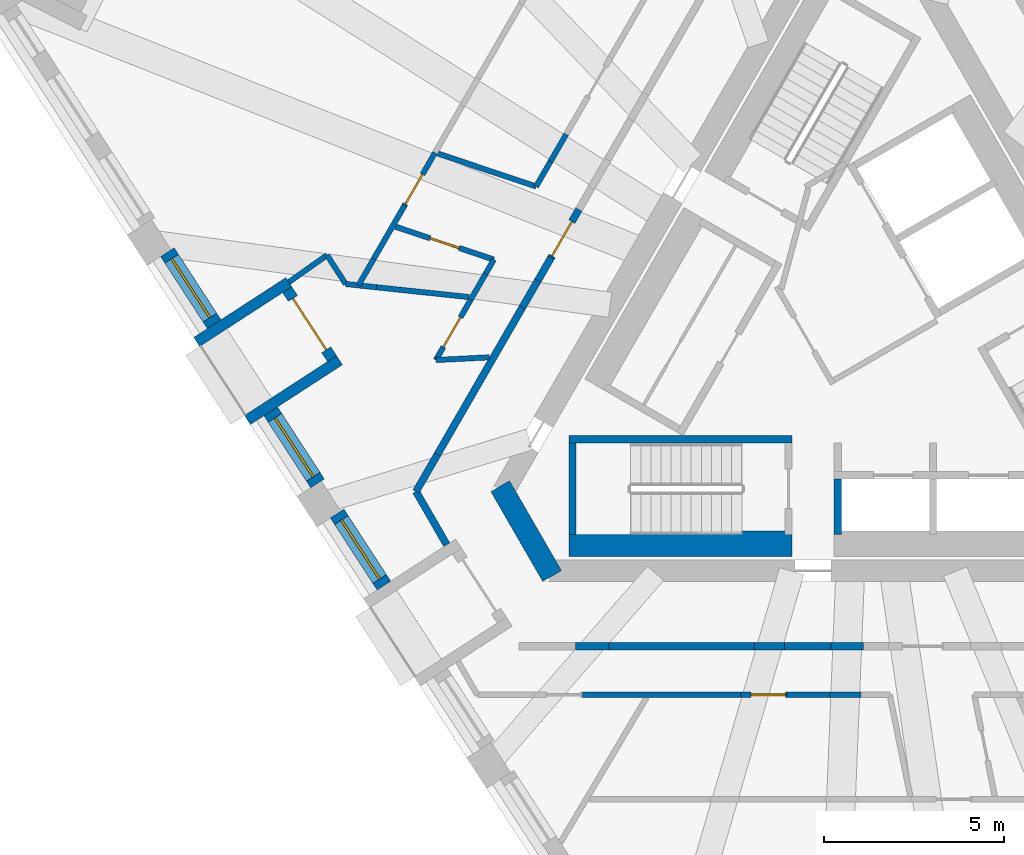
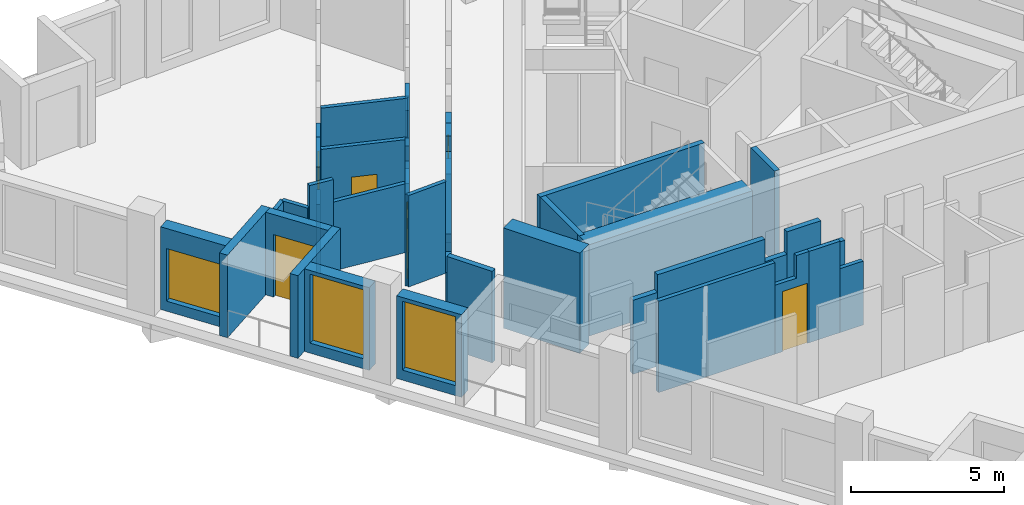
# One storey, part 3 of 12: 41 walls, 6 doors, 3 windows, 9 openings.
"""IFC4 building model written with IfcOpenShell, lengths in metres."""

from ifc_helpers import new_model, si_unit, direction, frame, frame_2d, origin, place, context, subcontext, project, spatial, polyline, rectangle, outline, extrude, material, layer, layer_set, type_object, element, fill, save


model = new_model("IFC4")

# Units and contexts
model_context = context("Model", 3, precision=1e-05, world=origin(), true_north=direction((0.0, 1.0)))
body_context = subcontext(model_context, "Body", "Model", "MODEL_VIEW")
ifc_project = project(units=[si_unit("LENGTHUNIT", "METRE"), si_unit("AREAUNIT", "SQUARE_METRE"), si_unit("VOLUMEUNIT", "CUBIC_METRE"), si_unit("PLANEANGLEUNIT", "RADIAN"), si_unit("MASSUNIT", "GRAM", prefix="KILO")], contexts=[model_context])

# Site, building, storey
site_placement = place(None, origin())
site = spatial("IfcSite", under=ifc_project, at=site_placement, CompositionType="ELEMENT")
building_placement = place(site_placement, origin())
building = spatial("IfcBuilding", under=site, at=building_placement, Name="Tramontana Tower", CompositionType="ELEMENT")
storey_placement = place(building_placement, frame((0.0, 0.0, 302.39990234375)))
storey = spatial("IfcBuildingStorey", under=building, at=storey_placement, Name="L71", CompositionType="ELEMENT", Elevation=302.39990234375)

# Walls
ifc_material_1 = material(Name="Concrete 70 MPa", Category="concrete")
ifc_layer_1 = layer(ifc_material_1, 0.60009765625)
ifc_layer_set_1 = layer_set([ifc_layer_1], Name="Core wall 600 70 MPa")
wall_type_1 = type_object("IfcWallType", Name="Core wall 600 70 MPa", PredefinedType="SHEAR", material=ifc_layer_set_1)
wall_1_placement = place(storey_placement, frame((-9.98828125, -4.10009765625, 0.0), z_axis=(0.0, 0.0, 1.0), x_axis=(0.499995765644, -0.866027848477, 0.0)))
element("IfcWall", 1, at=wall_1_placement, inside=storey, type_object=wall_type_1, Name="Core wall C2 L71", PredefinedType="SHEAR", context=body_context, shape_type="SweptSolid", body=[
    extrude(rectangle(XDim=2.88671875, YDim=0.60009765625, at=frame_2d((1.443359375, 0.0))), origin(), (0.0, 0.0, 1.0), 4.0),
])
ifc_material_2 = material(Name="Blockwork", Category="masonry")
ifc_layer_2 = layer(ifc_material_2, 0.199951171875)
ifc_layer_set_2 = layer_set([ifc_layer_2], Name="ENTRY WALL 200")
wall_type_2 = type_object("IfcWallType", Name="ENTRY WALL 200", PredefinedType="SOLIDWALL", material=ifc_layer_set_2)
wall_2_placement = place(storey_placement, frame((0.104248046875, -8.550048828125, 0.0), z_axis=(0.0, 0.0, 1.0), x_axis=(-1.0, 0.0, 0.0)))
element("IfcWall", 2, at=wall_2_placement, inside=storey, type_object=wall_type_2, Name="Wall v72-ew1-6", PredefinedType="SOLIDWALL", context=body_context, shape_type="SweptSolid", body=[
    extrude(rectangle(XDim=0.900634765625, YDim=0.199951171875, at=frame_2d((0.4501953125, 0.0))), origin(), (0.0, 0.0, 1.0), 2.550048828125),
])
wall_3_placement = place(storey_placement, frame((-0.79638671875, -8.550048828125, 0.0), z_axis=(0.0, 0.0, 1.0), x_axis=(-1.0, 0.0, 0.0)))
element("IfcWall", 3, at=wall_3_placement, inside=storey, type_object=wall_type_2, Name="Wall v72-ew1-7", PredefinedType="SOLIDWALL", context=body_context, shape_type="SweptSolid", body=[
    extrude(rectangle(XDim=1.2861328125, YDim=0.199951171875, at=frame_2d((0.64306640625, 0.0))), origin(), (0.0, 0.0, 1.0), 3.650146484375),
])
wall_4_placement = place(storey_placement, frame((-2.08251953125, -8.550048828125, 0.0), z_axis=(0.0, 0.0, 1.0), x_axis=(-1.0, 0.0, 0.0)))
element("IfcWall", 4, at=wall_4_placement, inside=storey, type_object=wall_type_2, Name="Wall v72-ew1-8", PredefinedType="SOLIDWALL", context=body_context, shape_type="SweptSolid", body=[
    extrude(rectangle(XDim=0.83349609375, YDim=0.199951171875, at=frame_2d((0.416748046875, 0.0))), origin(), (0.0, 0.0, 1.0), 2.75),
])
wall_5_placement = place(storey_placement, frame((-2.916015625, -8.550048828125, 0.0), z_axis=(0.0, 0.0, 1.0), x_axis=(-1.0, 0.0, 0.0)))
element("IfcWall", 5, at=wall_5_placement, inside=storey, type_object=wall_type_2, Name="Wall v72-ew1-9", PredefinedType="SOLIDWALL", context=body_context, shape_type="SweptSolid", body=[
    extrude(rectangle(XDim=4.052490234375, YDim=0.199951171875, at=frame_2d((2.0263671875, 0.0))), origin(), (0.0, 0.0, 1.0), 3.650146484375),
])
wall_6_placement = place(storey_placement, frame((-6.968505859375, -8.550048828125, 0.0), z_axis=(0.0, 0.0, 1.0), x_axis=(-1.0, 0.0, 0.0)))
element("IfcWall", 6, at=wall_6_placement, inside=storey, type_object=wall_type_2, Name="Wall v72-ew1-10", PredefinedType="SOLIDWALL", context=body_context, shape_type="SweptSolid", body=[
    extrude(rectangle(XDim=0.927490234375, YDim=0.199951171875, at=frame_2d((0.4638671875, 0.0))), origin(), (0.0, 0.0, 1.0), 2.9501953125),
])
wall_7_placement = place(storey_placement, frame((-11.472412109375, -5.729248046875, 0.0), z_axis=(0.0, 0.0, 1.0), x_axis=(-0.499982281718, 0.866035633198, 0.0)))
element("IfcWall", 7, at=wall_7_placement, inside=storey, type_object=wall_type_2, Name="Wall v72-ew2", PredefinedType="SOLIDWALL", context=body_context, shape_type="SweptSolid", body=[
    extrude(rectangle(XDim=1.7080078125, YDim=0.199951171875, at=frame_2d((0.85400390625, 0.0))), origin(), (0.0, 0.0, 1.0), 3.650146484375),
])
wall_8_placement = place(storey_placement, frame((-12.326416015625, -4.25, 0.0), z_axis=(0.0, 0.0, 1.0), x_axis=(0.499983247966, 0.86603507536, 0.0)))
element("IfcWall", 8, at=wall_8_placement, inside=storey, type_object=wall_type_2, Name="Wall v72-ew3-0", PredefinedType="SOLIDWALL", context=body_context, shape_type="SweptSolid", body=[
    extrude(rectangle(XDim=1.1884765625, YDim=0.199951171875, at=frame_2d((0.59423828125, 0.0))), origin(), (0.0, 0.0, 1.0), 2.9501953125),
])
wall_9_placement = place(storey_placement, frame((-11.732177734375, -3.220703125, 0.0), z_axis=(0.0, 0.0, 1.0), x_axis=(0.500007683529, 0.866020967652, 0.0)))
element("IfcWall", 9, at=wall_9_placement, inside=storey, type_object=wall_type_2, Name="Wall v72-ew3-1", PredefinedType="SOLIDWALL", context=body_context, shape_type="SweptSolid", body=[
    extrude(rectangle(XDim=4.71728515625, YDim=0.199951171875, at=frame_2d((2.358642578125, 0.0))), origin(), (0.0, 0.0, 1.0), 3.650146484375),
])
wall_10_placement = place(storey_placement, frame((-9.37353515625, 0.864501953125, 0.0), z_axis=(0.0, 0.0, 1.0), x_axis=(0.500056482814, 0.86599279096, 0.0)))
element("IfcWall", 10, at=wall_10_placement, inside=storey, type_object=wall_type_2, Name="Wall v72-ew3-2", PredefinedType="SOLIDWALL", context=body_context, shape_type="SweptSolid", body=[
    extrude(rectangle(XDim=0.86474609375, YDim=0.199951171875, at=frame_2d((0.432373046875, 0.0))), origin(), (0.0, 0.0, 1.0), 2.75),
])
wall_11_placement = place(storey_placement, frame((-8.941162109375, 1.61328125, 0.0), z_axis=(0.0, 0.0, 1.0), x_axis=(0.499875190247, 0.866097450739, 0.0)))
element("IfcWall", 11, at=wall_11_placement, inside=storey, type_object=wall_type_2, Name="Wall v72-ew3-3", PredefinedType="SOLIDWALL", context=body_context, shape_type="SweptSolid", body=[
    extrude(rectangle(XDim=0.738037109375, YDim=0.199951171875, at=frame_2d((0.369140625, 0.0))), origin(), (0.0, 0.0, 1.0), 3.650146484375),
])

# Wall, opening, door
wall_12_placement = place(storey_placement, frame((-8.572265625, 2.25244140625, 0.0), z_axis=(0.0, 0.0, 1.0), x_axis=(0.499992328818, 0.866029832698, 0.0)))
wall_12 = element("IfcWall", 12, at=wall_12_placement, inside=storey, type_object=wall_type_2, Name="Wall v72-ew3-4", PredefinedType="SOLIDWALL", context=body_context, shape_type="SweptSolid", body=[
    extrude(outline(polyline([(0.0, 0.0), (1.5400390625, 0.0), (1.5400390625, 2.550048828125), (0.63037109375, 2.550048828125), (0.63037109375, 3.650146484375), (0.0, 3.650146484375), (0.0, 0.0)])), frame((0.0, 0.10009765625, 0.0), z_axis=(0.0, -1.0, 0.0), x_axis=(1.0, 0.0, 0.0)), (0.0, 0.0, 1.0), 0.199951171875),
])
opening_1_placement = place(wall_12_placement, frame((0.050048828125, 0.0, 0.0)))
opening_1 = element("IfcOpeningElement", 13, at=opening_1_placement, cuts=wall_12, Name="Opening B7C-17", PredefinedType="OPENING", context=body_context, shape_type="SweptSolid", body=[
    extrude(rectangle(XDim=1.10009765625, YDim=2.39990234375, at=frame_2d((0.550048828125, 1.199951171875))), frame((0.0, 0.10986328125, 0.0), z_axis=(0.0, -1.0, 0.0), x_axis=(1.0, 0.0, 0.0)), (0.0, 0.0, 1.0), 0.219970703125),
])
ifc_material_3 = material(Name="Painted timber", Category="wood")
door_type_1 = type_object("IfcDoorType", Name="DOOR ENTRY 1100", OperationType="SINGLE_SWING_LEFT", PredefinedType="DOOR", material=ifc_material_3)
door_1_placement = place(opening_1_placement, origin())
door_1 = element("IfcDoor", 14, at=door_1_placement, inside=storey, type_object=door_type_1, Name="Door B7C-17", OperationType="SINGLE_SWING_LEFT", OverallHeight=2.39990234375, OverallWidth=1.10009765625, PredefinedType="DOOR", context=body_context, shape_type="SweptSolid", body=[
    extrude(rectangle(XDim=1.10009765625, YDim=2.39990234375, at=frame_2d((0.550048828125, 1.199951171875))), frame((0.0, 0.02490234375, 0.0), z_axis=(0.0, -1.0, 0.0), x_axis=(1.0, 0.0, 0.0)), (0.0, 0.0, 1.0), 0.050048828125),
])
fill(opening_1, door_1)

# Wall, opening, window
ifc_material_4 = material(Name="Precast concrete 60 MPa", Category="concrete")
ifc_layer_3 = layer(ifc_material_4, 0.449951171875)
ifc_layer_set_3 = layer_set([ifc_layer_3], Name="Precast concrete 60 MPa, 450 mm")
wall_type_3 = type_object("IfcWallType", Name="EW1 Stone-faced precast wall 450", PredefinedType="SOLIDWALL", material=ifc_layer_set_3)
wall_13_placement = place(storey_placement, frame((-19.236083984375, 2.401123046875, 0.0), z_axis=(0.0, 0.0, 1.0), x_axis=(0.544675520966, -0.838646872563, 0.0)))
wall_13 = element("IfcWall", 15, at=wall_13_placement, inside=storey, type_object=wall_type_3, Name="External wall L71 face 0 bay 2", PredefinedType="SOLIDWALL", context=body_context, shape_type="SweptSolid", body=[
    extrude(rectangle(XDim=2.38671875, YDim=0.449951171875, at=frame_2d((1.193359375, 0.0))), origin(), (0.0, 0.0, 1.0), 3.300048828125),
])
opening_2_placement = place(wall_13_placement, frame((0.21826171875, 0.0, 0.39990234375)))
opening_2 = element("IfcOpeningElement", 16, at=opening_2_placement, cuts=wall_13, Name="Opening M3L", PredefinedType="OPENING", context=body_context, shape_type="SweptSolid", body=[
    extrude(rectangle(XDim=1.949951171875, YDim=2.10009765625, at=frame_2d((0.97509765625, 1.050048828125))), frame((0.0, 0.23486328125, 0.0), z_axis=(0.0, -1.0, 0.0), x_axis=(1.0, 0.0, 0.0)), (0.0, 0.0, 1.0), 0.469970703125),
])
ifc_material_5 = material(Name="Aluminum frame, double glazing unit", Category="aluminium")
window_type_1 = type_object("IfcWindowType", Name="M3L Window 1.95 x 2.1", PartitioningType="SINGLE_PANEL", PredefinedType="WINDOW", material=ifc_material_5)
window_1_placement = place(opening_2_placement, origin())
window_1 = element("IfcWindow", 17, at=window_1_placement, inside=storey, type_object=window_type_1, Name="Window M3L L71 face 0 module 4", OverallHeight=2.10009765625, OverallWidth=1.949951171875, PartitioningType="SINGLE_PANEL", PredefinedType="WINDOW", context=body_context, shape_type="SweptSolid", body=[
    extrude(rectangle(XDim=1.949951171875, YDim=2.10009765625, at=frame_2d((0.97509765625, 1.050048828125))), frame((0.0, 0.030029296875, 0.0), z_axis=(0.0, -1.0, 0.0), x_axis=(1.0, 0.0, 0.0)), (0.0, 0.0, 1.0), 0.06005859375),
])
fill(opening_2, window_1)

wall_14_placement = place(storey_placement, frame((-16.36376953125, -2.021728515625, 0.0), z_axis=(0.0, 0.0, 1.0), x_axis=(0.544603573947, -0.838693595566, 0.0)))
wall_14 = element("IfcWall", 18, at=wall_14_placement, inside=storey, type_object=wall_type_3, Name="External wall L71 face 0 bay 2", PredefinedType="SOLIDWALL", context=body_context, shape_type="SweptSolid", body=[
    extrude(rectangle(XDim=2.38671875, YDim=0.449951171875, at=frame_2d((1.193359375, 0.0))), origin(), (0.0, 0.0, 1.0), 3.300048828125),
])
opening_3_placement = place(wall_14_placement, frame((0.21826171875, 0.0, 0.39990234375)))
opening_3 = element("IfcOpeningElement", 19, at=opening_3_placement, cuts=wall_14, Name="Opening M3", PredefinedType="OPENING", context=body_context, shape_type="SweptSolid", body=[
    extrude(rectangle(XDim=1.949951171875, YDim=2.75, at=frame_2d((0.97509765625, 1.375))), frame((0.0, 0.23486328125, 0.0), z_axis=(0.0, -1.0, 0.0), x_axis=(1.0, 0.0, 0.0)), (0.0, 0.0, 1.0), 0.469970703125),
])
ifc_material_6 = material(Name="Aluminum frame, double glazing unit", Category="aluminium")
window_type_2 = type_object("IfcWindowType", Name="M3 Window 1.95 x 2.75", PartitioningType="SINGLE_PANEL", PredefinedType="WINDOW", material=ifc_material_6)
window_2_placement = place(opening_3_placement, origin())
window_2 = element("IfcWindow", 20, at=window_2_placement, inside=storey, type_object=window_type_2, Name="Window M3 L71 face 0 module 6", OverallHeight=2.75, OverallWidth=1.949951171875, PartitioningType="SINGLE_PANEL", PredefinedType="WINDOW", context=body_context, shape_type="SweptSolid", body=[
    extrude(rectangle(XDim=1.949951171875, YDim=2.75, at=frame_2d((0.97509765625, 1.375))), frame((0.0, 0.030029296875, 0.0), z_axis=(0.0, -1.0, 0.0), x_axis=(1.0, 0.0, 0.0)), (0.0, 0.0, 1.0), 0.06005859375),
])
fill(opening_3, window_2)

wall_15_placement = place(storey_placement, frame((-14.519287109375, -4.862060546875, 0.0), z_axis=(0.0, 0.0, 1.0), x_axis=(0.544603573947, -0.838693595566, 0.0)))
wall_15 = element("IfcWall", 21, at=wall_15_placement, inside=storey, type_object=wall_type_3, Name="External wall L71 face 0 bay 3", PredefinedType="SOLIDWALL", context=body_context, shape_type="SweptSolid", body=[
    extrude(rectangle(XDim=2.38671875, YDim=0.449951171875, at=frame_2d((1.193359375, 0.0))), origin(), (0.0, 0.0, 1.0), 3.300048828125),
])
opening_4_placement = place(wall_15_placement, frame((0.21826171875, 0.0, 0.39990234375)))
opening_4 = element("IfcOpeningElement", 22, at=opening_4_placement, cuts=wall_15, Name="Opening M3", PredefinedType="OPENING", context=body_context, shape_type="SweptSolid", body=[
    extrude(rectangle(XDim=1.949951171875, YDim=2.75, at=frame_2d((0.97509765625, 1.375))), frame((0.0, 0.23486328125, 0.0), z_axis=(0.0, -1.0, 0.0), x_axis=(1.0, 0.0, 0.0)), (0.0, 0.0, 1.0), 0.469970703125),
])
window_3_placement = place(opening_4_placement, origin())
window_3 = element("IfcWindow", 23, at=window_3_placement, inside=storey, type_object=window_type_2, Name="Window M3 L71 face 0 module 7", OverallHeight=2.75, OverallWidth=1.949951171875, PartitioningType="SINGLE_PANEL", PredefinedType="WINDOW", context=body_context, shape_type="SweptSolid", body=[
    extrude(rectangle(XDim=1.949951171875, YDim=2.75, at=frame_2d((0.97509765625, 1.375))), frame((0.0, 0.030029296875, 0.0), z_axis=(0.0, -1.0, 0.0), x_axis=(1.0, 0.0, 0.0)), (0.0, 0.0, 1.0), 0.06005859375),
])
fill(opening_4, window_3)

# Wall, opening, door
ifc_material_7 = material(Name="Precast concrete 60 MPa", Category="concrete")
ifc_layer_4 = layer(ifc_material_7, 0.300048828125)
ifc_layer_set_4 = layer_set([ifc_layer_4], Name="LW1 Stone-faced loggia wall 300")
wall_type_4 = type_object("IfcWallType", Name="LW1 Stone-faced loggia wall 300", PredefinedType="SOLIDWALL", material=ifc_layer_set_4)
wall_16_placement = place(storey_placement, frame((-15.90673828125, 1.359619140625, 0.0), z_axis=(0.0, 0.0, 1.0), x_axis=(0.544658103125, -0.838658184662, 0.0)))
wall_16 = element("IfcWall", 24, at=wall_16_placement, inside=storey, type_object=wall_type_4, Name="Loggia wall L71 G7S0.4", PredefinedType="SOLIDWALL", context=body_context, shape_type="SweptSolid", body=[
    extrude(rectangle(XDim=2.286865234375, YDim=0.300048828125, at=frame_2d((1.1435546875, 0.0))), origin(), (0.0, 0.0, 1.0), 3.300048828125),
])
opening_5_placement = place(wall_16_placement, frame((0.29345703125, 0.0, 0.0)))
opening_5 = element("IfcOpeningElement", 25, at=opening_5_placement, cuts=wall_16, Name="Opening BD-7S0-04", PredefinedType="OPENING", context=body_context, shape_type="SweptSolid", body=[
    extrude(rectangle(XDim=1.699951171875, YDim=2.5, at=frame_2d((0.85009765625, 1.25))), frame((0.0, 0.159912109375, 0.0), z_axis=(0.0, -1.0, 0.0), x_axis=(1.0, 0.0, 0.0)), (0.0, 0.0, 1.0), 0.320068359375),
])
ifc_material_8 = material(Name="Aluminum frame, double glazing unit", Category="aluminium")
door_type_2 = type_object("IfcDoorType", Name="BD3 Sliding door 1.7 x 2.5", OperationType="SLIDING_TO_LEFT", PredefinedType="DOOR", material=ifc_material_8)
door_2_placement = place(opening_5_placement, origin())
door_2 = element("IfcDoor", 26, at=door_2_placement, inside=storey, type_object=door_type_2, Name="Loggia door L71 G7S0.4", OperationType="SLIDING_TO_LEFT", OverallHeight=2.5, OverallWidth=1.699951171875, PredefinedType="DOOR", context=body_context, shape_type="SweptSolid", body=[
    extrude(rectangle(XDim=1.699951171875, YDim=2.5, at=frame_2d((0.85009765625, 1.25))), frame((0.0, 0.02490234375, 0.0), z_axis=(0.0, -1.0, 0.0), x_axis=(1.0, 0.0, 0.0)), (0.0, 0.0, 1.0), 0.050048828125),
])
fill(opening_5, door_2)

# Walls
for number, where, z_axis, x_axis, name in (
    (27, (-18.42041015625, -0.093994140625, 0.0), (0.0, 0.0, 1.0), (0.838664840319, 0.544647854685, 0.0), "Loggia return L71 G7S0.4a"),
    (28, (-17.01171875, -2.263427734375, 0.0), (0.0, 0.0, 1.0), (0.838664840319, 0.544647854685, 0.0), "Loggia return L71 G7S0.4b"),
):
    element("IfcWall", number, at=place(storey_placement, frame(where, z_axis=z_axis, x_axis=x_axis)), inside=storey, type_object=wall_type_4, Name=name, PredefinedType="SOLIDWALL", context=body_context, shape_type="SweptSolid", body=[
        extrude(rectangle(XDim=3.0498046875, YDim=0.300048828125, at=frame_2d((1.52490234375, 0.0))), origin(), (0.0, 0.0, 1.0), 3.300048828125),
    ])
ifc_material_9 = material(Name="Gypsum board partition")
ifc_layer_5 = layer(ifc_material_9, 0.14990234375)
ifc_layer_set_5 = layer_set([ifc_layer_5], Name="PARTITION 150")
wall_type_5 = type_object("IfcWallType", Name="PARTITION 150", PredefinedType="PARTITIONING", material=ifc_layer_set_5)
wall_17_placement = place(storey_placement, frame((-14.80126953125, 2.316162109375, 0.0), z_axis=(0.0, 0.0, 1.0), x_axis=(-0.817009530875, -0.576624163958, 0.0)))
element("IfcWall", 29, at=wall_17_placement, inside=storey, type_object=wall_type_5, Name="Wall v72-pw01-0", PredefinedType="PARTITIONING", context=body_context, shape_type="SweptSolid", body=[
    extrude(rectangle(XDim=1.299072265625, YDim=0.14990234375, at=frame_2d((0.6494140625, 0.0))), origin(), (0.0, 0.0, 1.0), 2.75),
])
wall_18_placement = place(storey_placement, frame((-14.279296875, 1.51611328125, 0.0), z_axis=(0.0, 0.0, 1.0), x_axis=(-0.5444931366, 0.838765297444, 0.0)))
element("IfcWall", 30, at=wall_18_placement, inside=storey, type_object=wall_type_5, Name="Wall v72-pw02-0", PredefinedType="PARTITIONING", context=body_context, shape_type="SweptSolid", body=[
    extrude(rectangle(XDim=0.953369140625, YDim=0.14990234375, at=frame_2d((0.4765625, 0.0))), origin(), (0.0, 0.0, 1.0), 2.75),
])
wall_19_placement = place(storey_placement, frame((-13.92578125, 1.479736328125, 0.0), z_axis=(0.0, 0.0, 1.0), x_axis=(0.499838235968, 0.86611877815, 0.0)))
element("IfcWall", 31, at=wall_19_placement, inside=storey, type_object=wall_type_5, Name="Wall v72-pw03-0", PredefinedType="PARTITIONING", context=body_context, shape_type="SweptSolid", body=[
    extrude(rectangle(XDim=0.851806640625, YDim=0.14990234375, at=frame_2d((0.42578125, 0.0))), origin(), (0.0, 0.0, 1.0), 2.75),
])
wall_20_placement = place(storey_placement, frame((-13.5, 2.217529296875, 0.0), z_axis=(0.0, 0.0, 1.0), x_axis=(0.500015459501, 0.866016478054, 0.0)))
element("IfcWall", 32, at=wall_20_placement, inside=storey, type_object=wall_type_5, Name="Wall v72-pw03-1", PredefinedType="PARTITIONING", context=body_context, shape_type="SweptSolid", body=[
    extrude(rectangle(XDim=1.70703125, YDim=0.14990234375, at=frame_2d((0.853515625, 0.0))), origin(), (0.0, 0.0, 1.0), 3.650146484375),
])

# Wall, opening, door
wall_21_placement = place(storey_placement, frame((-12.646484375, 3.69580078125, 0.0), z_axis=(0.0, 0.0, 1.0), x_axis=(0.500046963369, 0.865998287773, 0.0)))
wall_21 = element("IfcWall", 33, at=wall_21_placement, inside=storey, type_object=wall_type_5, Name="Wall v72-pw03-2", PredefinedType="PARTITIONING", context=body_context, shape_type="SweptSolid", body=[
    extrude(outline(polyline([(0.0, 0.0), (1.693115234375, 0.0), (1.693359375, 2.550048828125), (0.80908203125, 2.550048828125), (0.80908203125, 3.650146484375), (0.0, 3.650146484375), (0.0, 0.0)])), frame((0.0, 0.074951171875, 0.0), z_axis=(0.0, -1.0, 0.0), x_axis=(1.0, 0.0, 0.0)), (0.0, 0.0, 1.0), 0.14990234375),
])
opening_6_placement = place(wall_21_placement, frame((0.050048828125, 0.0, 0.0)))
opening_6 = element("IfcOpeningElement", 34, at=opening_6_placement, cuts=wall_21, Name="Opening B7C-03", PredefinedType="OPENING", context=body_context, shape_type="SweptSolid", body=[
    extrude(rectangle(XDim=0.949951171875, YDim=2.39990234375, at=frame_2d((0.47509765625, 1.199951171875))), frame((0.0, 0.0849609375, 0.0), z_axis=(0.0, -1.0, 0.0), x_axis=(1.0, 0.0, 0.0)), (0.0, 0.0, 1.0), 0.169921875),
])
ifc_material_10 = material(Name="Painted timber", Category="wood")
door_type_3 = type_object("IfcDoorType", Name="DOOR ROOM 950", OperationType="SINGLE_SWING_LEFT", PredefinedType="DOOR", material=ifc_material_10)
door_3_placement = place(opening_6_placement, origin())
door_3 = element("IfcDoor", 35, at=door_3_placement, inside=storey, type_object=door_type_3, Name="Door B7C-03", OperationType="SINGLE_SWING_LEFT", OverallHeight=2.39990234375, OverallWidth=0.949951171875, PredefinedType="DOOR", context=body_context, shape_type="SweptSolid", body=[
    extrude(rectangle(XDim=0.949951171875, YDim=2.39990234375, at=frame_2d((0.47509765625, 1.199951171875))), frame((0.0, 0.02490234375, 0.0), z_axis=(0.0, -1.0, 0.0), x_axis=(1.0, 0.0, 0.0)), (0.0, 0.0, 1.0), 0.050048828125),
])
fill(opening_6, door_3)

# Wall
wall_22_placement = place(storey_placement, frame((-11.724853515625, 5.14208984375, 0.0), z_axis=(0.0, 0.0, 1.0), x_axis=(0.94816538979, -0.317777270433, 0.0)))
element("IfcWall", 36, at=wall_22_placement, inside=storey, type_object=wall_type_5, Name="Wall v72-pw04", PredefinedType="PARTITIONING", context=body_context, shape_type="SweptSolid", body=[
    extrude(rectangle(XDim=2.882568359375, YDim=0.14990234375, at=frame_2d((1.44140625, 0.0))), origin(), (0.0, 0.0, 1.0), 3.650146484375),
])

# Wall, opening, door
wall_23_placement = place(storey_placement, frame((-11.776123046875, -0.5966796875, 0.0), z_axis=(0.0, 0.0, 1.0), x_axis=(0.500036899794, 0.86600409863, 0.0)))
wall_23 = element("IfcWall", 37, at=wall_23_placement, inside=storey, type_object=wall_type_5, Name="Wall v72-pw05-0", PredefinedType="PARTITIONING", context=body_context, shape_type="SweptSolid", body=[
    extrude(rectangle(XDim=1.926513671875, YDim=0.14990234375, at=frame_2d((0.96337890625, 0.0))), origin(), (0.0, 0.0, 1.0), 3.650146484375),
])
opening_7_placement = place(wall_23_placement, frame((0.419921875, 0.0, 0.0)))
opening_7 = element("IfcOpeningElement", 38, at=opening_7_placement, cuts=wall_23, Name="Opening B7C-05", PredefinedType="OPENING", context=body_context, shape_type="SweptSolid", body=[
    extrude(rectangle(XDim=0.949951171875, YDim=2.39990234375, at=frame_2d((0.47509765625, 1.199951171875))), frame((0.0, 0.0849609375, 0.0), z_axis=(0.0, -1.0, 0.0), x_axis=(1.0, 0.0, 0.0)), (0.0, 0.0, 1.0), 0.169921875),
])
door_4_placement = place(opening_7_placement, origin())
door_4 = element("IfcDoor", 39, at=door_4_placement, inside=storey, type_object=door_type_3, Name="Door B7C-05", OperationType="SINGLE_SWING_LEFT", OverallHeight=2.39990234375, OverallWidth=0.949951171875, PredefinedType="DOOR", context=body_context, shape_type="SweptSolid", body=[
    extrude(rectangle(XDim=0.949951171875, YDim=2.39990234375, at=frame_2d((0.47509765625, 1.199951171875))), frame((0.0, 0.02490234375, 0.0), z_axis=(0.0, -1.0, 0.0), x_axis=(1.0, 0.0, 0.0)), (0.0, 0.0, 1.0), 0.050048828125),
])
fill(opening_7, door_4)

# Walls
wall_24_placement = place(storey_placement, frame((-10.812744140625, 1.07177734375, 0.0), z_axis=(0.0, 0.0, 1.0), x_axis=(0.500025132165, 0.866010893236, 0.0)))
element("IfcWall", 40, at=wall_24_placement, inside=storey, type_object=wall_type_5, Name="Wall v72-pw05-1", PredefinedType="PARTITIONING", context=body_context, shape_type="SweptSolid", body=[
    extrude(rectangle(XDim=0.837890625, YDim=0.14990234375, at=frame_2d((0.4189453125, 0.0))), origin(), (0.0, 0.0, 1.0), 2.75),
])
wall_25_placement = place(storey_placement, frame((-10.393798828125, 1.79736328125, 0.0), z_axis=(0.0, 0.0, 1.0), x_axis=(0.49998419723, 0.866034527326, 0.0)))
element("IfcWall", 41, at=wall_25_placement, inside=storey, type_object=wall_type_5, Name="Wall v72-pw05-2", PredefinedType="PARTITIONING", context=body_context, shape_type="SweptSolid", body=[
    extrude(rectangle(XDim=0.45751953125, YDim=0.14990234375, at=frame_2d((0.228759765625, 0.0))), origin(), (0.0, 0.0, 1.0), 3.650146484375),
])
wall_26_placement = place(storey_placement, frame((-10.852783203125, 1.15234375, 0.0), z_axis=(0.0, 0.0, 1.0), x_axis=(-0.99441673879, 0.105524166022, 0.0)))
element("IfcWall", 42, at=wall_26_placement, inside=storey, type_object=wall_type_5, Name="Wall v72-pw06-0", PredefinedType="PARTITIONING", context=body_context, shape_type="SweptSolid", body=[
    extrude(rectangle(XDim=2.5888671875, YDim=0.14990234375, at=frame_2d((1.29443359375, 0.0))), origin(), (0.0, 0.0, 1.0), 2.75),
])
wall_27_placement = place(storey_placement, frame((-13.42724609375, 1.425537109375, 0.0), z_axis=(0.0, 0.0, 1.0), x_axis=(-0.994394015125, 0.1057380853, 0.0)))
element("IfcWall", 43, at=wall_27_placement, inside=storey, type_object=wall_type_5, Name="Wall v72-pw06-1", PredefinedType="PARTITIONING", context=body_context, shape_type="SweptSolid", body=[
    extrude(rectangle(XDim=0.856689453125, YDim=0.14990234375, at=frame_2d((0.42822265625, 0.0))), origin(), (0.0, 0.0, 1.0), 3.650146484375),
])
wall_28_placement = place(storey_placement, frame((-10.291259765625, -0.521484375, 0.0), z_axis=(0.0, 0.0, 1.0), x_axis=(-0.998720193642, -0.050576425459, 0.0)))
element("IfcWall", 44, at=wall_28_placement, inside=storey, type_object=wall_type_5, Name="Wall v72-pw08", PredefinedType="PARTITIONING", context=body_context, shape_type="SweptSolid", body=[
    extrude(rectangle(XDim=1.48681640625, YDim=0.14990234375, at=frame_2d((0.743408203125, 0.0))), origin(), (0.0, 0.0, 1.0), 3.650146484375),
])

# Wall, opening, door
wall_29_placement = place(storey_placement, frame((-10.1650390625, 2.193603515625, 0.0), z_axis=(0.0, 0.0, 1.0), x_axis=(-0.94816538979, 0.317777270433, 0.0)))
wall_29 = element("IfcWall", 45, at=wall_29_placement, inside=storey, type_object=wall_type_5, Name="Wall v72-pw09", PredefinedType="PARTITIONING", context=body_context, shape_type="SweptSolid", body=[
    extrude(rectangle(XDim=2.882568359375, YDim=0.14990234375, at=frame_2d((1.44140625, 0.0))), origin(), (0.0, 0.0, 1.0), 3.650146484375),
])
opening_8_placement = place(wall_29_placement, frame((1.016357421875, 0.0, 0.0)))
opening_8 = element("IfcOpeningElement", 46, at=opening_8_placement, cuts=wall_29, Name="Opening B7C-02", PredefinedType="OPENING", context=body_context, shape_type="SweptSolid", body=[
    extrude(rectangle(XDim=0.85009765625, YDim=2.39990234375, at=frame_2d((0.425048828125, 1.199951171875))), frame((0.0, 0.0849609375, 0.0), z_axis=(0.0, -1.0, 0.0), x_axis=(1.0, 0.0, 0.0)), (0.0, 0.0, 1.0), 0.169921875),
])
ifc_material_11 = material(Name="Painted timber", Category="wood")
door_type_4 = type_object("IfcDoorType", Name="DOOR BATH 850", OperationType="SINGLE_SWING_LEFT", PredefinedType="DOOR", material=ifc_material_11)
door_5_placement = place(opening_8_placement, origin())
door_5 = element("IfcDoor", 47, at=door_5_placement, inside=storey, type_object=door_type_4, Name="Door B7C-02", OperationType="SINGLE_SWING_RIGHT", OverallHeight=2.39990234375, OverallWidth=0.85009765625, PredefinedType="DOOR", context=body_context, shape_type="SweptSolid", body=[
    extrude(rectangle(XDim=0.85009765625, YDim=2.39990234375, at=frame_2d((0.425048828125, 1.199951171875))), frame((0.0, 0.02490234375, 0.0), z_axis=(0.0, -1.0, 0.0), x_axis=(1.0, 0.0, 0.0)), (0.0, 0.0, 1.0), 0.050048828125),
])
fill(opening_8, door_5)

# Walls
wall_30_placement = place(storey_placement, frame((-8.9931640625, 4.223388671875, 0.0), z_axis=(0.0, 0.0, 1.0), x_axis=(0.500003616288, 0.866023315909, 0.0)))
element("IfcWall", 48, at=wall_30_placement, inside=storey, type_object=wall_type_5, Name="Wall v72-pw10-0", PredefinedType="PARTITIONING", context=body_context, shape_type="SweptSolid", body=[
    extrude(rectangle(XDim=0.8017578125, YDim=0.14990234375, at=frame_2d((0.40087890625, 0.0))), origin(), (0.0, 0.0, 1.0), 3.650146484375),
])
wall_31_placement = place(storey_placement, frame((-8.59228515625, 4.917724609375, 0.0), z_axis=(0.0, 0.0, 1.0), x_axis=(0.500036104519, 0.866004557827, 0.0)))
element("IfcWall", 49, at=wall_31_placement, inside=storey, type_object=wall_type_5, Name="Wall v72-pw10-1", PredefinedType="PARTITIONING", context=body_context, shape_type="SweptSolid", body=[
    extrude(rectangle(XDim=0.8759765625, YDim=0.14990234375, at=frame_2d((0.43798828125, 0.0))), origin(), (0.0, 0.0, 1.0), 2.550048828125),
])
wall_32_placement = place(storey_placement, frame((0.037109375, -9.89990234375, 0.0), z_axis=(0.0, 0.0, 1.0), x_axis=(-1.0, 0.0, 0.0)))
element("IfcWall", 50, at=wall_32_placement, inside=storey, type_object=wall_type_5, Name="Wall v72-pw14-1", PredefinedType="PARTITIONING", context=body_context, shape_type="SweptSolid", body=[
    extrude(rectangle(XDim=0.875732421875, YDim=0.14990234375, at=frame_2d((0.43798828125, 0.0))), origin(), (0.0, 0.0, 1.0), 2.550048828125),
])
wall_33_placement = place(storey_placement, frame((-0.838623046875, -9.89990234375, 0.0), z_axis=(0.0, 0.0, 1.0), x_axis=(-1.0, 0.0, 0.0)))
element("IfcWall", 51, at=wall_33_placement, inside=storey, type_object=wall_type_5, Name="Wall v72-pw14-2", PredefinedType="PARTITIONING", context=body_context, shape_type="SweptSolid", body=[
    extrude(rectangle(XDim=1.178955078125, YDim=0.14990234375, at=frame_2d((0.58935546875, 0.0))), origin(), (0.0, 0.0, 1.0), 3.650146484375),
])

# Wall, opening, door
wall_34_placement = place(storey_placement, frame((-2.017578125, -9.89990234375, 0.0), z_axis=(0.0, 0.0, 1.0), x_axis=(-1.0, 0.0, 0.0)))
wall_34 = element("IfcWall", 52, at=wall_34_placement, inside=storey, type_object=wall_type_5, Name="Wall v72-pw14-3", PredefinedType="PARTITIONING", context=body_context, shape_type="SweptSolid", body=[
    extrude(outline(polyline([(0.0, 0.0), (1.280029296875, 0.0), (1.2802734375, 2.75), (0.472900390625, 2.75), (0.472900390625, 3.650146484375), (0.0, 3.650146484375), (0.0, 0.0)])), frame((0.0, 0.074951171875, 0.0), z_axis=(0.0, -1.0, 0.0), x_axis=(1.0, 0.0, 0.0)), (0.0, 0.0, 1.0), 0.14990234375),
])
opening_9_placement = place(wall_34_placement, frame((0.050048828125, 0.0, 0.0)))
opening_9 = element("IfcOpeningElement", 53, at=opening_9_placement, cuts=wall_34, Name="Opening B7C-06", PredefinedType="OPENING", context=body_context, shape_type="SweptSolid", body=[
    extrude(rectangle(XDim=0.949951171875, YDim=2.39990234375, at=frame_2d((0.47509765625, 1.199951171875))), frame((0.0, 0.0849609375, 0.0), z_axis=(0.0, -1.0, 0.0), x_axis=(1.0, 0.0, 0.0)), (0.0, 0.0, 1.0), 0.169921875),
])
door_6_placement = place(opening_9_placement, origin())
door_6 = element("IfcDoor", 54, at=door_6_placement, inside=storey, type_object=door_type_3, Name="Door B7C-06", OperationType="SINGLE_SWING_RIGHT", OverallHeight=2.39990234375, OverallWidth=0.949951171875, PredefinedType="DOOR", context=body_context, shape_type="SweptSolid", body=[
    extrude(rectangle(XDim=0.949951171875, YDim=2.39990234375, at=frame_2d((0.47509765625, 1.199951171875))), frame((0.0, 0.02490234375, 0.0), z_axis=(0.0, -1.0, 0.0), x_axis=(1.0, 0.0, 0.0)), (0.0, 0.0, 1.0), 0.050048828125),
])
fill(opening_9, door_6)

# Walls
wall_35_placement = place(storey_placement, frame((-3.297607421875, -9.89990234375, 0.0), z_axis=(0.0, 0.0, 1.0), x_axis=(-1.0, 0.0, 0.0)))
element("IfcWall", 55, at=wall_35_placement, inside=storey, type_object=wall_type_5, Name="Wall v72-pw14-4", PredefinedType="PARTITIONING", context=body_context, shape_type="SweptSolid", body=[
    extrude(rectangle(XDim=4.40625, YDim=0.14990234375, at=frame_2d((2.203125, 0.0))), origin(), (0.0, 0.0, 1.0), 3.650146484375),
])
ifc_material_12 = material(Name="Concrete 70 MPa", Category="concrete")
ifc_layer_6 = layer(ifc_material_12, 0.699951171875)
ifc_layer_set_6 = layer_set([ifc_layer_6], Name="Concrete 70 MPa, 700 mm")
wall_type_6 = type_object("IfcWallType", Name="RC SHAFT BACK WALL 700", PredefinedType="SOLIDWALL", material=ifc_layer_set_6)
wall_36_placement = place(storey_placement, frame((-8.080078125, -5.699951171875, 0.0), z_axis=(0.0, 0.0, 1.0), x_axis=(1.0, 0.0, 0.0)))
element("IfcWall", 56, at=wall_36_placement, inside=storey, type_object=wall_type_6, Name="Wall st2-back", PredefinedType="SOLIDWALL", context=body_context, shape_type="SweptSolid", body=[
    extrude(rectangle(XDim=6.2001953125, YDim=0.699951171875, at=frame_2d((3.10009765625, 0.0))), origin(), (0.0, 0.0, 1.0), 3.650146484375),
])
ifc_material_13 = material(Name="Concrete 70 MPa", Category="concrete")
ifc_layer_7 = layer(ifc_material_13, 0.199951171875)
ifc_layer_set_7 = layer_set([ifc_layer_7], Name="Concrete 70 MPa, 200 mm")
wall_type_7 = type_object("IfcWallType", Name="RC STAIR AND SHAFT WALL 200", PredefinedType="SOLIDWALL", material=ifc_layer_set_7)
wall_37_placement = place(storey_placement, frame((-8.080078125, -2.800048828125, 0.0), z_axis=(0.0, 0.0, 1.0), x_axis=(1.0, 0.0, 0.0)))
element("IfcWall", 57, at=wall_37_placement, inside=storey, type_object=wall_type_7, Name="Wall st2-front", PredefinedType="SOLIDWALL", context=body_context, shape_type="SweptSolid", body=[
    extrude(rectangle(XDim=6.2001953125, YDim=0.199951171875, at=frame_2d((3.10009765625, 0.0))), origin(), (0.0, 0.0, 1.0), 3.650146484375),
])
wall_38_placement = place(storey_placement, frame((-7.97998046875, -2.89990234375, 0.0), z_axis=(0.0, 0.0, 1.0), x_axis=(0.0, -1.0, 0.0)))
element("IfcWall", 58, at=wall_38_placement, inside=storey, type_object=wall_type_7, Name="Wall st2-far", PredefinedType="SOLIDWALL", context=body_context, shape_type="SweptSolid", body=[
    extrude(rectangle(XDim=2.550048828125, YDim=0.199951171875, at=frame_2d((1.27490234375, 0.0))), origin(), (0.0, 0.0, 1.0), 3.650146484375),
])
wall_39_placement = place(storey_placement, frame((-0.610107421875, -3.89990234375, 0.0), z_axis=(0.0, 0.0, 1.0), x_axis=(0.0, -1.0, 0.0)))
element("IfcWall", 59, at=wall_39_placement, inside=storey, type_object=wall_type_7, Name="Wall row1-side0", PredefinedType="SOLIDWALL", context=body_context, shape_type="SweptSolid", body=[
    extrude(rectangle(XDim=1.550048828125, YDim=0.199951171875, at=frame_2d((0.77490234375, 0.0))), origin(), (0.0, 0.0, 1.0), 3.650146484375),
])

save(model, "model.ifc")
